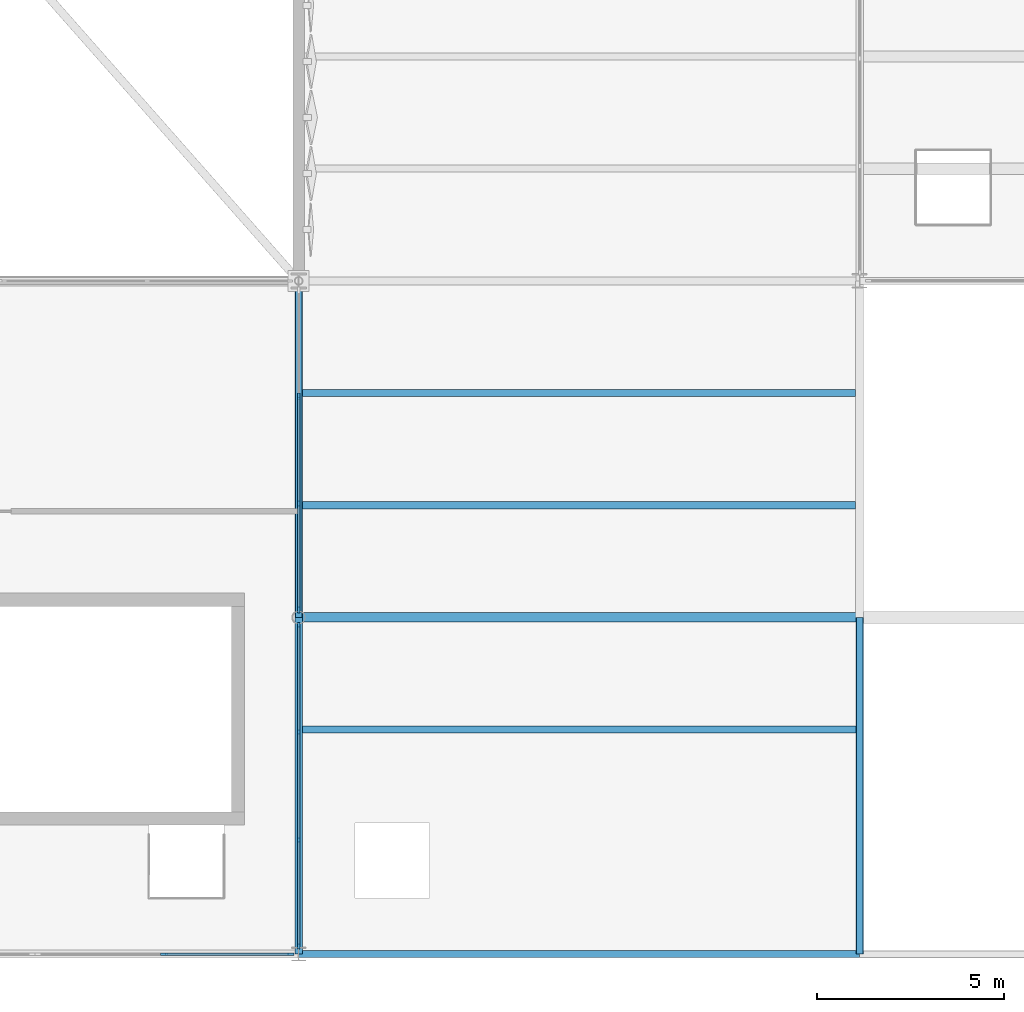
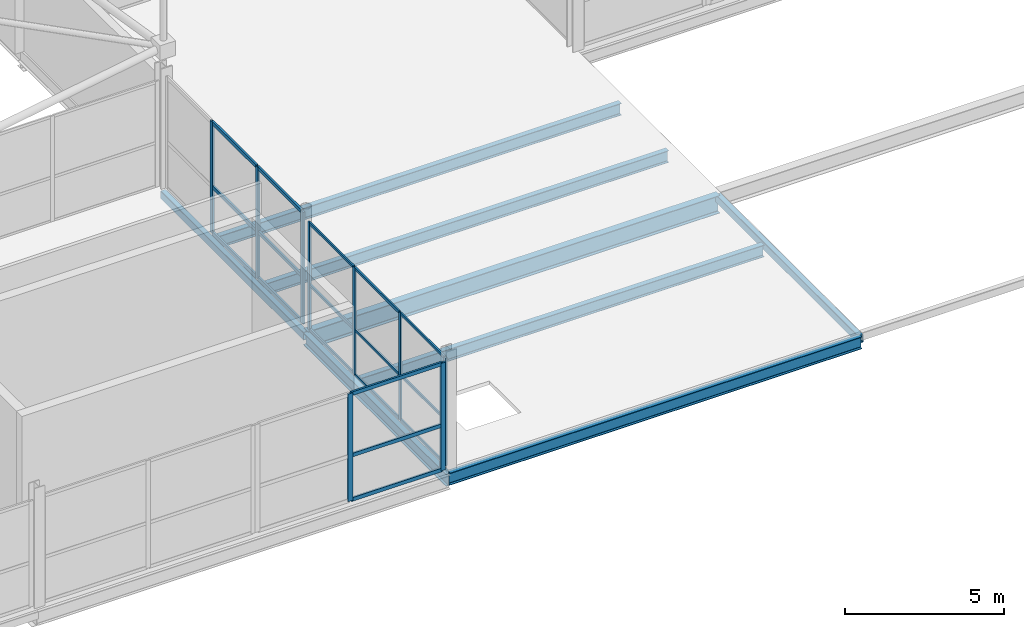
# One storey, part 121 of 224: 27 members, 8 beams, 3 elements without a shape of their own.
"""IFC4 building model written with IfcOpenShell, lengths in metres."""

import ifcopenshell
import ifcopenshell.guid

model = None  # the IFC model being written
_history = None  # IfcOwnerHistory: only IFC2X3 demands one
_inside = {}  # id of a spatial element -> (the spatial element, [elements in it])
_under = {}  # id of a project, library or spatial element -> (it, [spatial elements below it])
_declared = {}  # id of a project -> (the project, [libraries it declares])
_typed = {}  # id of a type object -> (the type object, [elements of that type])
_made_of = {}  # id of a material, layer set ... -> (it, [elements and type objects made of it])


def new_model(schema):
    """Start an empty IFC model of exactly this schema.

    Asked for "IFC4X3", IfcOpenShell would pick the latest addendum, in which some entities
    have other attributes; the version numbers below select the first issue.
    IFC2X3 requires an IfcOwnerHistory on every rooted entity: one is made here for all.
    """
    global model, _history
    if schema == "IFC4X3":
        model = ifcopenshell.file(schema_version=(4, 3, 0, 0))
    else:
        model = ifcopenshell.file(schema=schema)
    _inside.clear()
    _under.clear()
    _declared.clear()
    _typed.clear()
    _made_of.clear()
    _history = None
    if model.schema == "IFC2X3":
        org = make("IfcOrganization", Name="unknown")
        user = make(
            "IfcPersonAndOrganization",
            ThePerson=make("IfcPerson", FamilyName="unknown"),
            TheOrganization=org,
        )
        app = make(
            "IfcApplication",
            ApplicationDeveloper=org,
            Version="unknown",
            ApplicationFullName="unknown",
            ApplicationIdentifier="unknown",
        )
        _history = make(
            "IfcOwnerHistory",
            OwningUser=user,
            OwningApplication=app,
            ChangeAction="ADDED",
            CreationDate=0,
        )
    return model


def make(cls, **values):
    """One entity of the class cls with the attributes given. An attribute that is None is left unset."""
    return model.create_entity(
        cls, **{name: value for name, value in values.items() if value is not None}
    )


def rooted(cls, **values):
    """An entity with a GlobalId (a new one), such as an element, a storey or a relation."""
    return make(cls, GlobalId=ifcopenshell.guid.new(), OwnerHistory=_history, **values)


def si_unit(unit_type, name, prefix=None):
    """IfcSIUnit, for example si_unit("LENGTHUNIT", "METRE", prefix="MILLI")."""
    return make("IfcSIUnit", UnitType=unit_type, Prefix=prefix, Name=name)


def assignment(units):
    """IfcUnitAssignment: the units of a project."""
    return None if units is None else make("IfcUnitAssignment", Units=units)


def point(xyz):
    """IfcCartesianPoint."""
    return None if xyz is None else make("IfcCartesianPoint", Coordinates=xyz)


def direction(xyz):
    """IfcDirection."""
    return None if xyz is None else make("IfcDirection", DirectionRatios=xyz)


def frame(location, z_axis=None, x_axis=None):
    """IfcAxis2Placement3D, a coordinate frame: its origin and axes. An axis left out is left unset."""
    return make(
        "IfcAxis2Placement3D",
        Location=point(location),
        Axis=direction(z_axis),
        RefDirection=direction(x_axis),
    )


def frame_2d(location, x_axis=None):
    """IfcAxis2Placement2D, a coordinate frame in the plane: its origin and x axis."""
    return make(
        "IfcAxis2Placement2D", Location=point(location), RefDirection=direction(x_axis)
    )


def origin():
    """The frame at (0, 0, 0) with its axes left unset."""
    return frame((0.0, 0.0, 0.0))


def origin_2d():
    """The frame at (0, 0) in the plane with its x axis left unset."""
    return frame_2d((0.0, 0.0))


def place(relative_to, where):
    """IfcLocalPlacement: puts the frame where relative to a parent placement (None: the world)."""
    return make(
        "IfcLocalPlacement", PlacementRelTo=relative_to, RelativePlacement=where
    )


def context(
    kind, dimensions, precision=None, world=None, true_north=None, identifier=None
):
    """IfcGeometricRepresentationContext, for example the 3D "Model" context."""
    return make(
        "IfcGeometricRepresentationContext",
        ContextIdentifier=identifier,
        ContextType=kind,
        CoordinateSpaceDimension=dimensions,
        Precision=precision,
        WorldCoordinateSystem=world,
        TrueNorth=true_north,
    )


def subcontext(parent, identifier, kind, view, scale=None):
    """IfcGeometricRepresentationSubContext, for example "Body" below "Model"."""
    return make(
        "IfcGeometricRepresentationSubContext",
        ContextIdentifier=identifier,
        ContextType=kind,
        ParentContext=parent,
        TargetScale=scale,
        TargetView=view,
    )


def project(units=None, contexts=None):
    """IfcProject with its units and contexts."""
    return rooted(
        "IfcProject",
        Name="project",
        RepresentationContexts=contexts,
        UnitsInContext=assignment(units),
    )


def spatial(cls, under=None, at=None, **own):
    """A site, building, storey or space (cls), placed at a placement, below another one or the project."""
    s = rooted(cls, ObjectPlacement=at, **own)
    if under is not None:
        _under.setdefault(under.id(), (under, []))[1].append(s)
    return s


def profile(cls, at=None, kind="AREA", **sizes):
    """A parametric profile (cls). Its sizes go by their IFC names, for example OverallWidth=200.0."""
    return make(cls, ProfileType=kind, Position=at, **sizes)


def rectangle(**sizes):
    """IfcRectangleProfileDef."""
    return profile("IfcRectangleProfileDef", **sizes)


def hollow_rectangle(**sizes):
    """IfcRectangleHollowProfileDef."""
    return profile("IfcRectangleHollowProfileDef", **sizes)


def i_section(**sizes):
    """IfcIShapeProfileDef."""
    return profile("IfcIShapeProfileDef", **sizes)


def extrude(swept, where, along, depth):
    """IfcExtrudedAreaSolid: the profile swept, set in the frame where, extruded along a direction by depth."""
    return make(
        "IfcExtrudedAreaSolid",
        SweptArea=swept,
        Position=where,
        ExtrudedDirection=direction(along),
        Depth=depth,
    )


def shape(context_of_items, identifier, shape_type, items):
    """IfcShapeRepresentation: the items that make up one representation, for example the "Body"."""
    return make(
        "IfcShapeRepresentation",
        ContextOfItems=context_of_items,
        RepresentationIdentifier=identifier,
        RepresentationType=shape_type,
        Items=items,
    )


def material(Name=None, Category=None):
    """IfcMaterial."""
    return make("IfcMaterial", Name=Name, Category=Category)


def layer(
    of_material, thickness, ventilated=None, Name=None, Category=None, Priority=None
):
    """IfcMaterialLayer: one layer of a wall or slab, of a material (None: an air gap)."""
    return make(
        "IfcMaterialLayer",
        Material=of_material,
        LayerThickness=thickness,
        IsVentilated=ventilated,
        Name=Name,
        Category=Category,
        Priority=Priority,
    )


def layer_set(layers, Name=None):
    """IfcMaterialLayerSet."""
    return make("IfcMaterialLayerSet", MaterialLayers=layers, LayerSetName=Name)


def material_profile(
    of_material, cross_section, Name=None, Category=None, Priority=None
):
    """IfcMaterialProfile: a cross section and its material."""
    return make(
        "IfcMaterialProfile",
        Name=Name,
        Material=of_material,
        Profile=cross_section,
        Priority=Priority,
        Category=Category,
    )


def profile_set(profiles, Name=None, composite=None):
    """IfcMaterialProfileSet."""
    return make(
        "IfcMaterialProfileSet",
        Name=Name,
        MaterialProfiles=profiles,
        CompositeProfile=composite,
    )


def made_of(thing, what):
    """Note that an element or type object is made of a material, layer set ...; save() writes the relation."""
    if what is not None:
        _made_of.setdefault(what.id(), (what, []))[1].append(thing)
    return thing


def type_object(cls, material=None, **own):
    """A type object (cls), such as IfcWallType, which elements share."""
    return made_of(rooted(cls, **own), material)


def element(
    cls,
    number,
    at=None,
    inside=None,
    cuts=None,
    type_object=None,
    material=None,
    context=None,
    identifier="Body",
    shape_type=None,
    held_by="IfcProductDefinitionShape",
    body=None,
    shapes=None,
    **own,
):
    """One element of the class cls, such as IfcWall. Its Tag is "e" and its number.

    at: its placement. inside: the storey or other place that contains it. cuts: it is an
    opening in that element (IfcRelVoidsElement). A single representation is given by context,
    identifier, shape_type and body (its items); several are given by shapes. held_by: the class
    of the entity that holds the representations. save() writes the other relations.
    """
    e = rooted(cls, Tag="e%d" % number, ObjectPlacement=at, **own)
    if body is not None:
        shapes = [shape(context, identifier, shape_type, body)]
    if shapes is not None:
        e.Representation = make(held_by, Representations=shapes)
    if inside is not None:
        _inside.setdefault(inside.id(), (inside, []))[1].append(e)
    if cuts is not None:
        rooted(
            "IfcRelVoidsElement", RelatingBuildingElement=cuts, RelatedOpeningElement=e
        )
    if type_object is not None:
        _typed.setdefault(type_object.id(), (type_object, []))[1].append(e)
    return made_of(e, material)


def aggregate(whole, parts):
    """IfcRelAggregates: a whole, such as a stair, and the parts it consists of."""
    return rooted("IfcRelAggregates", RelatingObject=whole, RelatedObjects=parts)


def save(model, path):
    """Write the relations noted so far, then the file.

    IfcRelAggregates (storeys below a building ...), IfcRelContainedInSpatialStructure (elements
    in a storey), IfcRelDefinesByType, IfcRelAssociatesMaterial and IfcRelDeclares: one each for
    every whole, place, type object, material and project.
    """
    for whole, parts in _under.values():
        aggregate(whole, parts)
    for where, things in _inside.values():
        rooted(
            "IfcRelContainedInSpatialStructure",
            RelatedElements=things,
            RelatingStructure=where,
        )
    for kind, things in _typed.values():
        rooted("IfcRelDefinesByType", RelatedObjects=things, RelatingType=kind)
    for what, things in _made_of.values():
        rooted("IfcRelAssociatesMaterial", RelatedObjects=things, RelatingMaterial=what)
    for by, libraries in _declared.values():
        rooted("IfcRelDeclares", RelatingContext=by, RelatedDefinitions=libraries)
    model.write(path)


model = new_model("IFC4")

# Units and contexts
model_context = context("Model", 3, precision=1e-05, world=origin(), true_north=direction((0.0, 1.0)))
body_context = subcontext(model_context, "Body", "Model", "MODEL_VIEW")
ifc_project = project(units=[si_unit("LENGTHUNIT", "METRE"), si_unit("AREAUNIT", "SQUARE_METRE"), si_unit("VOLUMEUNIT", "CUBIC_METRE"), si_unit("PLANEANGLEUNIT", "RADIAN"), si_unit("MASSUNIT", "GRAM", prefix="KILO")], contexts=[model_context])

# Site, building, storey
site_placement = place(None, origin())
site = spatial("IfcSite", under=ifc_project, at=site_placement, CompositionType="ELEMENT")
building_placement = place(site_placement, origin())
building = spatial("IfcBuilding", under=site, at=building_placement, Name="Qamarlyn Nura Convention Centre", CompositionType="ELEMENT")
storey_placement = place(building_placement, frame((0.0, 0.0, 10.800048828125)))
storey = spatial("IfcBuildingStorey", under=building, at=storey_placement, Name="L02", CompositionType="ELEMENT", Elevation=10.800048828125)

# Beams
ifc_material_1 = material(Name="Steel ASTM A992", Category="steel")
ifc_material_profile_1 = material_profile(ifc_material_1, i_section(OverallWidth=0.25390625, OverallDepth=0.68408203125, WebThickness=0.012451171875, FlangeThickness=0.01904296875, FilletRadius=0.01806640625, at=origin_2d()), Name="W690X140")
ifc_profile_set_1 = profile_set([ifc_material_profile_1], Name="Steel ASTM A992")
beam_type_1 = type_object("IfcBeamType", Name="BM-GIRD-690B", PredefinedType="BEAM", material=ifc_profile_set_1)
beam_1_placement = place(storey_placement, frame((120.0, 9.0, -0.487060546875), z_axis=(1.0, 0.0, 0.0), x_axis=(0.0, 1.0, 0.0)))
element("IfcBeam", 1, at=beam_1_placement, inside=storey, type_object=beam_type_1, Name="L02 girder B 9-11", PredefinedType="BEAM", context=body_context, shape_type="SweptSolid", body=[
    extrude(i_section(OverallWidth=0.25390625, OverallDepth=0.68408203125, WebThickness=0.012451171875, FlangeThickness=0.01904296875, FilletRadius=0.01806640625, at=origin_2d()), origin(), (0.0, 0.0, 1.0), 15.0),
])
ifc_material_profile_2 = material_profile(ifc_material_1, i_section(OverallWidth=0.18994140625, OverallDepth=0.45703125, WebThickness=0.009033203125, FlangeThickness=0.014404296875, FilletRadius=0.012939453125, at=origin_2d()), Name="W460X74")
ifc_profile_set_2 = profile_set([ifc_material_profile_2], Name="Steel ASTM A992")
beam_type_2 = type_object("IfcBeamType", Name="BM-JOIST-460", PredefinedType="JOIST", material=ifc_profile_set_2)
beam_2_placement = place(storey_placement, frame((120.096435546875, 6.0, -0.448486328125), z_axis=(1.0, 0.0, 0.0), x_axis=(0.0, 1.0, 0.0)))
element("IfcBeam", 2, at=beam_2_placement, inside=storey, type_object=beam_type_2, Name="L02 composite joist 9-11/A+2", PredefinedType="JOIST", context=body_context, shape_type="SweptSolid", body=[
    extrude(i_section(OverallWidth=0.18994140625, OverallDepth=0.45703125, WebThickness=0.009033203125, FlangeThickness=0.014404296875, FilletRadius=0.012939453125, at=origin_2d()), origin(), (0.0, 0.0, 1.0), 14.803466796875),
])
for number, where, z_axis, x_axis, name in (
    (3, (120.10009765625, 12.0, -0.448486328125), (1.0, 0.0, 0.0), (0.0, 1.0, 0.0), "L02 composite joist 9-11/B+1"),
    (4, (120.10009765625, 15.0, -0.448486328125), (1.0, 0.0, 0.0), (0.0, 1.0, 0.0), "L02 composite joist 9-11/B+2"),
):
    element("IfcBeam", number, at=place(storey_placement, frame(where, z_axis=z_axis, x_axis=x_axis)), inside=storey, type_object=beam_type_2, Name=name, PredefinedType="JOIST", context=body_context, shape_type="SweptSolid", body=[
        extrude(i_section(OverallWidth=0.18994140625, OverallDepth=0.45703125, WebThickness=0.009033203125, FlangeThickness=0.014404296875, FilletRadius=0.012939453125, at=origin_2d()), origin(), (0.0, 0.0, 1.0), 14.79443359375),
    ])
ifc_material_profile_3 = material_profile(ifc_material_1, i_section(OverallWidth=0.193115234375, OverallDepth=0.466064453125, WebThickness=0.011474609375, FlangeThickness=0.01904296875, FilletRadius=0.012939453125, at=origin_2d()), Name="W460X97")
ifc_profile_set_3 = profile_set([ifc_material_profile_3], Name="Steel ASTM A992")
beam_type_3 = type_object("IfcBeamType", Name="BM-SPAN-460", PredefinedType="SPANDREL", material=ifc_profile_set_3)
beam_3_placement = place(storey_placement, frame((120.0, 0.0, -0.3779296875), z_axis=(1.0, 0.0, 0.0), x_axis=(0.0, 1.0, 0.0)))
element("IfcBeam", 5, at=beam_3_placement, inside=storey, type_object=beam_type_3, Name="L02 girder A 9-11", PredefinedType="SPANDREL", context=body_context, shape_type="SweptSolid", body=[
    extrude(i_section(OverallWidth=0.193115234375, OverallDepth=0.466064453125, WebThickness=0.011474609375, FlangeThickness=0.01904296875, FilletRadius=0.012939453125, at=origin_2d()), origin(), (0.0, 0.0, 1.0), 15.0),
])
beam_4_placement = place(storey_placement, frame((120.0, 0.0, -0.453125), z_axis=(0.0, 1.0, 0.0), x_axis=(-1.0, 0.0, 0.0)))
element("IfcBeam", 6, at=beam_4_placement, inside=storey, type_object=beam_type_3, Name="L02 girder 9 A-B", PredefinedType="SPANDREL", context=body_context, shape_type="SweptSolid", body=[
    extrude(i_section(OverallWidth=0.193115234375, OverallDepth=0.466064453125, WebThickness=0.011474609375, FlangeThickness=0.01904296875, FilletRadius=0.012939453125, at=origin_2d()), origin(), (0.0, 0.0, 1.0), 9.0),
])
ifc_material_2 = material(Name="Steel ASTM A500 Grade C", Category="steel")
ifc_material_profile_4 = material_profile(ifc_material_2, hollow_rectangle(XDim=0.199951171875, YDim=0.300048828125, WallThickness=0.012451171875, InnerFilletRadius=0.012451171875, OuterFilletRadius=0.02490234375, at=origin_2d()), Name="HSS300X200X12.5")
ifc_profile_set_4 = profile_set([ifc_material_profile_4], Name="Steel ASTM A500 Grade C")
beam_type_4 = type_object("IfcBeamType", Name="BM-SPAN-HSS", PredefinedType="SPANDREL", material=ifc_profile_set_4)
for number, where, z_axis, x_axis, name in (
    (7, (120.0, 9.0, -0.3701171875), (0.0, 1.0, 0.0), (-1.0, 0.0, 0.0), "L02 girder 9 B-C"),
    (8, (135.0, 0.0, -0.295166015625), (0.0, 1.0, 0.0), (-1.0, 0.0, 0.0), "L02 girder 11 A-B"),
):
    element("IfcBeam", number, at=place(storey_placement, frame(where, z_axis=z_axis, x_axis=x_axis)), inside=storey, type_object=beam_type_4, Name=name, PredefinedType="SPANDREL", context=body_context, shape_type="SweptSolid", body=[
        extrude(hollow_rectangle(XDim=0.199951171875, YDim=0.300048828125, WallThickness=0.012451171875, InnerFilletRadius=0.012451171875, OuterFilletRadius=0.02490234375, at=origin_2d()), origin(), (0.0, 0.0, 1.0), 9.0),
    ])

# Curtain wall, members
ifc_material_3 = material(Name="Double-silver low-E insulated glass", Category="glass")
ifc_layer_1 = layer(ifc_material_3, 0.179931640625, Name="CW-UNIT-31")
ifc_layer_set_1 = layer_set([ifc_layer_1], Name="Double-silver low-E insulated glass")
curtain_wall_type_1 = type_object("IfcCurtainWallType", Name="CW-UNIT-31", PredefinedType="NOTDEFINED", material=ifc_layer_set_1)
curtain_wall_1_placement = place(storey_placement, origin())
curtain_wall_1 = element("IfcCurtainWall", 9, at=curtain_wall_1_placement, inside=storey, type_object=curtain_wall_type_1, Name="L02 unitised curtain wall V1E-1-1", PredefinedType="NOTDEFINED")
ifc_material_4 = material(Name="Champagne-anodised marine aluminium", Category="aluminium")
ifc_material_profile_5 = material_profile(ifc_material_4, rectangle(XDim=0.06005859375, YDim=0.139892578125, at=origin_2d()), Name="ALU MULLION 60x140")
ifc_profile_set_5 = profile_set([ifc_material_profile_5], Name="Champagne-anodised marine aluminium")
member_type_1 = type_object("IfcMemberType", Name="CWM-140", PredefinedType="MULLION", material=ifc_profile_set_5)
member_1_placement = place(storey_placement, frame((120.0, 8.792236328125, 0.0), z_axis=(0.0, 0.0, 1.0), x_axis=(1.0, 0.0, 0.0)))
member_1 = element("IfcMember", 10, at=member_1_placement, type_object=member_type_1, Name="CW31 mullion 1", PredefinedType="MULLION", context=body_context, shape_type="SweptSolid", body=[
    extrude(rectangle(XDim=0.06005859375, YDim=0.139892578125, at=origin_2d()), origin(), (0.0, 0.0, 1.0), 4.14404296875),
])
member_2_placement = place(storey_placement, frame((120.0, 5.94091796875, 0.0), z_axis=(0.0, 0.0, 1.0), x_axis=(1.0, 0.0, 0.0)))
member_2 = element("IfcMember", 11, at=member_2_placement, type_object=member_type_1, Name="CW31 mullion 2", PredefinedType="MULLION", context=body_context, shape_type="SweptSolid", body=[
    extrude(rectangle(XDim=0.06005859375, YDim=0.139892578125, at=origin_2d()), origin(), (0.0, 0.0, 1.0), 4.14404296875),
])
member_3_placement = place(storey_placement, frame((120.0, 3.059326171875, 0.0), z_axis=(0.0, 0.0, 1.0), x_axis=(1.0, 0.0, 0.0)))
member_3 = element("IfcMember", 12, at=member_3_placement, type_object=member_type_1, Name="CW31 mullion 3", PredefinedType="MULLION", context=body_context, shape_type="SweptSolid", body=[
    extrude(rectangle(XDim=0.06005859375, YDim=0.139892578125, at=origin_2d()), origin(), (0.0, 0.0, 1.0), 4.14404296875),
])
member_4_placement = place(storey_placement, frame((120.0, 0.2080078125, 0.0), z_axis=(0.0, 0.0, 1.0), x_axis=(1.0, 0.0, 0.0)))
member_4 = element("IfcMember", 13, at=member_4_placement, type_object=member_type_1, Name="CW31 mullion 4", PredefinedType="MULLION", context=body_context, shape_type="SweptSolid", body=[
    extrude(rectangle(XDim=0.06005859375, YDim=0.139892578125, at=origin_2d()), origin(), (0.0, 0.0, 1.0), 4.14404296875),
])

ifc_layer_2 = layer(ifc_material_3, 0.179931640625, Name="CW-UNIT-25")
ifc_layer_set_2 = layer_set([ifc_layer_2], Name="Double-silver low-E insulated glass")
curtain_wall_type_2 = type_object("IfcCurtainWallType", Name="CW-UNIT-25", PredefinedType="NOTDEFINED", material=ifc_layer_set_2)
curtain_wall_2_placement = place(storey_placement, origin())
curtain_wall_2 = element("IfcCurtainWall", 14, at=curtain_wall_2_placement, inside=storey, type_object=curtain_wall_type_2, Name="L02 unitised curtain wall SF-S4-1A", PredefinedType="NOTDEFINED")
ifc_material_profile_6 = material_profile(ifc_material_4, rectangle(XDim=0.070068359375, YDim=0.179931640625, at=origin_2d()), Name="ALU MULLION 70x180")
ifc_profile_set_6 = profile_set([ifc_material_profile_6], Name="Champagne-anodised marine aluminium")
member_type_2 = type_object("IfcMemberType", Name="CWM-180", PredefinedType="MULLION", material=ifc_profile_set_6)
member_5_placement = place(storey_placement, frame((119.780517578125, 0.0, 0.0), z_axis=(0.0, 0.0, 1.0), x_axis=(0.0, -1.0, 0.0)))
member_5 = element("IfcMember", 15, at=member_5_placement, type_object=member_type_2, Name="CW25 mullion 1", PredefinedType="MULLION", context=body_context, shape_type="SweptSolid", body=[
    extrude(rectangle(XDim=0.070068359375, YDim=0.179931640625, at=origin_2d()), origin(), (0.0, 0.0, 1.0), 4.14404296875),
])
member_6_placement = place(storey_placement, frame((116.397705078125, 0.0, 0.0), z_axis=(0.0, 0.0, 1.0), x_axis=(0.0, -1.0, 0.0)))
member_6 = element("IfcMember", 16, at=member_6_placement, type_object=member_type_2, Name="CW25 mullion 2", PredefinedType="MULLION", context=body_context, shape_type="SweptSolid", body=[
    extrude(rectangle(XDim=0.070068359375, YDim=0.179931640625, at=origin_2d()), origin(), (0.0, 0.0, 1.0), 4.14404296875),
])

ifc_layer_3 = layer(ifc_material_3, 0.179931640625, Name="CW-UNIT-32")
ifc_layer_set_3 = layer_set([ifc_layer_3], Name="Double-silver low-E insulated glass")
curtain_wall_type_3 = type_object("IfcCurtainWallType", Name="CW-UNIT-32", PredefinedType="NOTDEFINED", material=ifc_layer_set_3)
curtain_wall_3_placement = place(storey_placement, origin())
curtain_wall_3 = element("IfcCurtainWall", 17, at=curtain_wall_3_placement, inside=storey, type_object=curtain_wall_type_3, Name="L02 unitised curtain wall V1E-2-1", PredefinedType="NOTDEFINED")
member_7_placement = place(storey_placement, frame((120.0, 14.91748046875, 0.0), z_axis=(0.0, 0.0, 1.0), x_axis=(1.0, 0.0, 0.0)))
member_7 = element("IfcMember", 18, at=member_7_placement, type_object=member_type_2, Name="CW32 mullion 2", PredefinedType="MULLION", context=body_context, shape_type="SweptSolid", body=[
    extrude(rectangle(XDim=0.070068359375, YDim=0.179931640625, at=origin_2d()), origin(), (0.0, 0.0, 1.0), 4.31005859375),
])
member_8_placement = place(storey_placement, frame((120.0, 12.047607421875, 0.0), z_axis=(0.0, 0.0, 1.0), x_axis=(1.0, 0.0, 0.0)))
member_8 = element("IfcMember", 19, at=member_8_placement, type_object=member_type_2, Name="CW32 mullion 3", PredefinedType="MULLION", context=body_context, shape_type="SweptSolid", body=[
    extrude(rectangle(XDim=0.070068359375, YDim=0.179931640625, at=origin_2d()), origin(), (0.0, 0.0, 1.0), 4.31005859375),
])
member_9_placement = place(storey_placement, frame((120.0, 9.212890625, 0.0), z_axis=(0.0, 0.0, 1.0), x_axis=(1.0, 0.0, 0.0)))
member_9 = element("IfcMember", 20, at=member_9_placement, type_object=member_type_2, Name="CW32 mullion 4", PredefinedType="MULLION", context=body_context, shape_type="SweptSolid", body=[
    extrude(rectangle(XDim=0.070068359375, YDim=0.179931640625, at=origin_2d()), origin(), (0.0, 0.0, 1.0), 4.31005859375),
])

# Member
ifc_material_profile_7 = material_profile(ifc_material_4, rectangle(XDim=0.06005859375, YDim=0.10009765625, at=origin_2d()), Name="ALU TRANSOM 60x100")
ifc_profile_set_7 = profile_set([ifc_material_profile_7], Name="Champagne-anodised marine aluminium")
member_type_3 = type_object("IfcMemberType", Name="CWT-100", PredefinedType="USERDEFINED", material=ifc_profile_set_7)
member_10_placement = place(storey_placement, frame((120.0, 8.76220703125, 0.030029296875), z_axis=(0.0, -1.0, 0.0), x_axis=(1.0, 0.0, 0.0)))
member_10 = element("IfcMember", 21, at=member_10_placement, type_object=member_type_3, Name="CW31 transom 1.1", ObjectType="TRANSOM", PredefinedType="USERDEFINED", context=body_context, shape_type="SweptSolid", body=[
    extrude(rectangle(XDim=0.06005859375, YDim=0.10009765625, at=origin_2d()), origin(), (0.0, 0.0, 1.0), 2.79150390625),
])

member_11_placement = place(storey_placement, frame((120.0, 8.76220703125, 1.739990234375), z_axis=(0.0, -1.0, 0.0), x_axis=(1.0, 0.0, 0.0)))
member_11 = element("IfcMember", 22, at=member_11_placement, type_object=member_type_3, Name="CW31 transom 1.2", ObjectType="TRANSOM", PredefinedType="USERDEFINED", context=body_context, shape_type="SweptSolid", body=[
    extrude(rectangle(XDim=0.06005859375, YDim=0.10009765625, at=origin_2d()), origin(), (0.0, 0.0, 1.0), 2.79150390625),
])

member_12_placement = place(storey_placement, frame((120.0, 8.76220703125, 4.114013671875), z_axis=(0.0, -1.0, 0.0), x_axis=(1.0, 0.0, 0.0)))
member_12 = element("IfcMember", 23, at=member_12_placement, type_object=member_type_3, Name="CW31 transom 1.3", ObjectType="TRANSOM", PredefinedType="USERDEFINED", context=body_context, shape_type="SweptSolid", body=[
    extrude(rectangle(XDim=0.06005859375, YDim=0.10009765625, at=origin_2d()), origin(), (0.0, 0.0, 1.0), 2.79150390625),
])

member_13_placement = place(storey_placement, frame((120.0, 5.910888671875, 0.030029296875), z_axis=(0.0, -1.0, 0.0), x_axis=(1.0, 0.0, 0.0)))
member_13 = element("IfcMember", 24, at=member_13_placement, type_object=member_type_3, Name="CW31 transom 2.1", ObjectType="TRANSOM", PredefinedType="USERDEFINED", context=body_context, shape_type="SweptSolid", body=[
    extrude(rectangle(XDim=0.06005859375, YDim=0.10009765625, at=origin_2d()), origin(), (0.0, 0.0, 1.0), 2.821533203125),
])

member_14_placement = place(storey_placement, frame((120.0, 5.910888671875, 1.739990234375), z_axis=(0.0, -1.0, 0.0), x_axis=(1.0, 0.0, 0.0)))
member_14 = element("IfcMember", 25, at=member_14_placement, type_object=member_type_3, Name="CW31 transom 2.2", ObjectType="TRANSOM", PredefinedType="USERDEFINED", context=body_context, shape_type="SweptSolid", body=[
    extrude(rectangle(XDim=0.06005859375, YDim=0.10009765625, at=origin_2d()), origin(), (0.0, 0.0, 1.0), 2.821533203125),
])

member_15_placement = place(storey_placement, frame((120.0, 5.910888671875, 4.114013671875), z_axis=(0.0, -1.0, 0.0), x_axis=(1.0, 0.0, 0.0)))
member_15 = element("IfcMember", 26, at=member_15_placement, type_object=member_type_3, Name="CW31 transom 2.3", ObjectType="TRANSOM", PredefinedType="USERDEFINED", context=body_context, shape_type="SweptSolid", body=[
    extrude(rectangle(XDim=0.06005859375, YDim=0.10009765625, at=origin_2d()), origin(), (0.0, 0.0, 1.0), 2.821533203125),
])

member_16_placement = place(storey_placement, frame((120.0, 3.029296875, 0.030029296875), z_axis=(0.0, -1.0, 0.0), x_axis=(1.0, 0.0, 0.0)))
member_16 = element("IfcMember", 27, at=member_16_placement, type_object=member_type_3, Name="CW31 transom 3.1", ObjectType="TRANSOM", PredefinedType="USERDEFINED", context=body_context, shape_type="SweptSolid", body=[
    extrude(rectangle(XDim=0.06005859375, YDim=0.10009765625, at=origin_2d()), origin(), (0.0, 0.0, 1.0), 2.791259765625),
])

member_17_placement = place(storey_placement, frame((120.0, 3.029296875, 1.739990234375), z_axis=(0.0, -1.0, 0.0), x_axis=(1.0, 0.0, 0.0)))
member_17 = element("IfcMember", 28, at=member_17_placement, type_object=member_type_3, Name="CW31 transom 3.2", ObjectType="TRANSOM", PredefinedType="USERDEFINED", context=body_context, shape_type="SweptSolid", body=[
    extrude(rectangle(XDim=0.06005859375, YDim=0.10009765625, at=origin_2d()), origin(), (0.0, 0.0, 1.0), 2.791259765625),
])

member_18_placement = place(storey_placement, frame((120.0, 3.029296875, 4.114013671875), z_axis=(0.0, -1.0, 0.0), x_axis=(1.0, 0.0, 0.0)))
member_18 = element("IfcMember", 29, at=member_18_placement, type_object=member_type_3, Name="CW31 transom 3.3", ObjectType="TRANSOM", PredefinedType="USERDEFINED", context=body_context, shape_type="SweptSolid", body=[
    extrude(rectangle(XDim=0.06005859375, YDim=0.10009765625, at=origin_2d()), origin(), (0.0, 0.0, 1.0), 2.791259765625),
])

aggregate(curtain_wall_1, [member_1, member_2, member_3, member_4, member_10, member_11, member_12, member_13, member_14, member_15, member_16, member_17, member_18])

ifc_material_profile_8 = material_profile(ifc_material_4, rectangle(XDim=0.070068359375, YDim=0.139892578125, at=origin_2d()), Name="ALU TRANSOM 70x140")
ifc_profile_set_8 = profile_set([ifc_material_profile_8], Name="Champagne-anodised marine aluminium")
member_type_4 = type_object("IfcMemberType", Name="CWT-140", PredefinedType="USERDEFINED", material=ifc_profile_set_8)
member_19_placement = place(storey_placement, frame((119.74560546875, 0.0, 0.034912109375), z_axis=(-1.0, 0.0, 0.0), x_axis=(0.0, -1.0, 0.0)))
member_19 = element("IfcMember", 30, at=member_19_placement, type_object=member_type_4, Name="CW25 transom 1.1", ObjectType="TRANSOM", PredefinedType="USERDEFINED", context=body_context, shape_type="SweptSolid", body=[
    extrude(rectangle(XDim=0.070068359375, YDim=0.139892578125, at=origin_2d()), origin(), (0.0, 0.0, 1.0), 3.312744140625),
])

member_20_placement = place(storey_placement, frame((119.74560546875, 0.0, 1.739990234375), z_axis=(-1.0, 0.0, 0.0), x_axis=(0.0, -1.0, 0.0)))
member_20 = element("IfcMember", 31, at=member_20_placement, type_object=member_type_4, Name="CW25 transom 1.2", ObjectType="TRANSOM", PredefinedType="USERDEFINED", context=body_context, shape_type="SweptSolid", body=[
    extrude(rectangle(XDim=0.070068359375, YDim=0.139892578125, at=origin_2d()), origin(), (0.0, 0.0, 1.0), 3.312744140625),
])

member_21_placement = place(storey_placement, frame((119.74560546875, 0.0, 4.10888671875), z_axis=(-1.0, 0.0, 0.0), x_axis=(0.0, -1.0, 0.0)))
member_21 = element("IfcMember", 32, at=member_21_placement, type_object=member_type_4, Name="CW25 transom 1.3", ObjectType="TRANSOM", PredefinedType="USERDEFINED", context=body_context, shape_type="SweptSolid", body=[
    extrude(rectangle(XDim=0.070068359375, YDim=0.139892578125, at=origin_2d()), origin(), (0.0, 0.0, 1.0), 3.312744140625),
])

aggregate(curtain_wall_2, [member_5, member_6, member_19, member_20, member_21])

member_22_placement = place(storey_placement, frame((120.0, 14.882568359375, 0.034912109375), z_axis=(0.0, -1.0, 0.0), x_axis=(1.0, 0.0, 0.0)))
member_22 = element("IfcMember", 33, at=member_22_placement, type_object=member_type_4, Name="CW32 transom 2.1", ObjectType="TRANSOM", PredefinedType="USERDEFINED", context=body_context, shape_type="SweptSolid", body=[
    extrude(rectangle(XDim=0.070068359375, YDim=0.139892578125, at=origin_2d()), origin(), (0.0, 0.0, 1.0), 2.7998046875),
])

member_23_placement = place(storey_placement, frame((120.0, 14.882568359375, 1.81005859375), z_axis=(0.0, -1.0, 0.0), x_axis=(1.0, 0.0, 0.0)))
member_23 = element("IfcMember", 34, at=member_23_placement, type_object=member_type_4, Name="CW32 transom 2.2", ObjectType="TRANSOM", PredefinedType="USERDEFINED", context=body_context, shape_type="SweptSolid", body=[
    extrude(rectangle(XDim=0.070068359375, YDim=0.139892578125, at=origin_2d()), origin(), (0.0, 0.0, 1.0), 2.7998046875),
])

member_24_placement = place(storey_placement, frame((120.0, 14.882568359375, 4.27490234375), z_axis=(0.0, -1.0, 0.0), x_axis=(1.0, 0.0, 0.0)))
member_24 = element("IfcMember", 35, at=member_24_placement, type_object=member_type_4, Name="CW32 transom 2.3", ObjectType="TRANSOM", PredefinedType="USERDEFINED", context=body_context, shape_type="SweptSolid", body=[
    extrude(rectangle(XDim=0.070068359375, YDim=0.139892578125, at=origin_2d()), origin(), (0.0, 0.0, 1.0), 2.7998046875),
])

member_25_placement = place(storey_placement, frame((120.0, 12.0126953125, 0.034912109375), z_axis=(0.0, -1.0, 0.0), x_axis=(1.0, 0.0, 0.0)))
member_25 = element("IfcMember", 36, at=member_25_placement, type_object=member_type_4, Name="CW32 transom 3.1", ObjectType="TRANSOM", PredefinedType="USERDEFINED", context=body_context, shape_type="SweptSolid", body=[
    extrude(rectangle(XDim=0.070068359375, YDim=0.139892578125, at=origin_2d()), origin(), (0.0, 0.0, 1.0), 2.764892578125),
])

member_26_placement = place(storey_placement, frame((120.0, 12.0126953125, 1.81005859375), z_axis=(0.0, -1.0, 0.0), x_axis=(1.0, 0.0, 0.0)))
member_26 = element("IfcMember", 37, at=member_26_placement, type_object=member_type_4, Name="CW32 transom 3.2", ObjectType="TRANSOM", PredefinedType="USERDEFINED", context=body_context, shape_type="SweptSolid", body=[
    extrude(rectangle(XDim=0.070068359375, YDim=0.139892578125, at=origin_2d()), origin(), (0.0, 0.0, 1.0), 2.764892578125),
])

member_27_placement = place(storey_placement, frame((120.0, 12.0126953125, 4.27490234375), z_axis=(0.0, -1.0, 0.0), x_axis=(1.0, 0.0, 0.0)))
member_27 = element("IfcMember", 38, at=member_27_placement, type_object=member_type_4, Name="CW32 transom 3.3", ObjectType="TRANSOM", PredefinedType="USERDEFINED", context=body_context, shape_type="SweptSolid", body=[
    extrude(rectangle(XDim=0.070068359375, YDim=0.139892578125, at=origin_2d()), origin(), (0.0, 0.0, 1.0), 2.764892578125),
])

aggregate(curtain_wall_3, [member_7, member_8, member_9, member_22, member_23, member_24, member_25, member_26, member_27])

save(model, "model.ifc")
